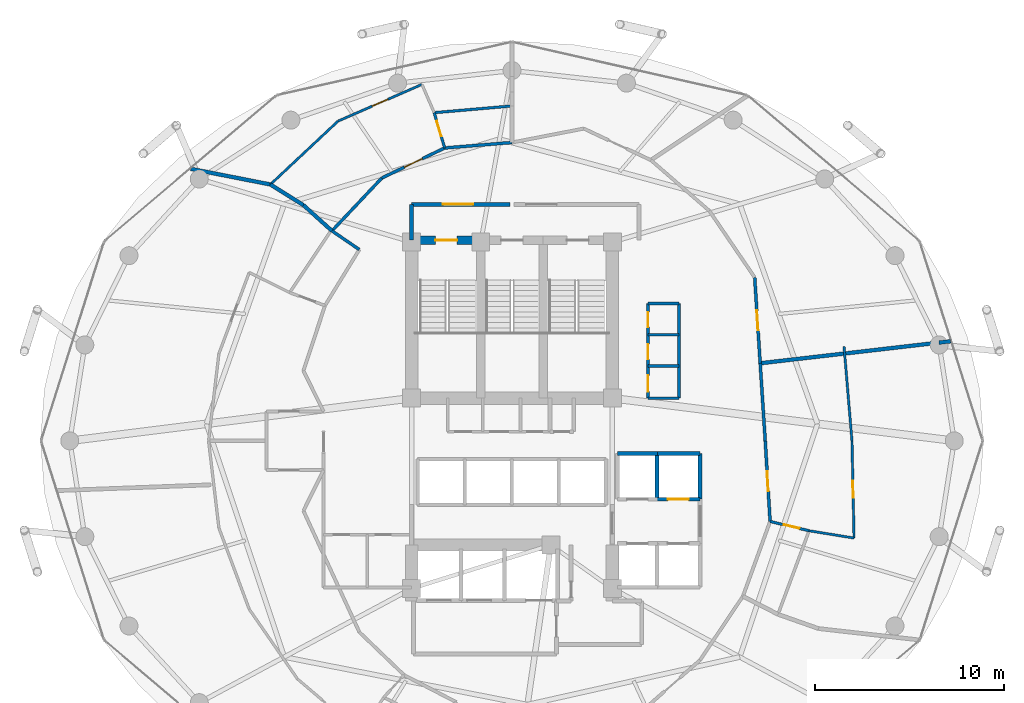
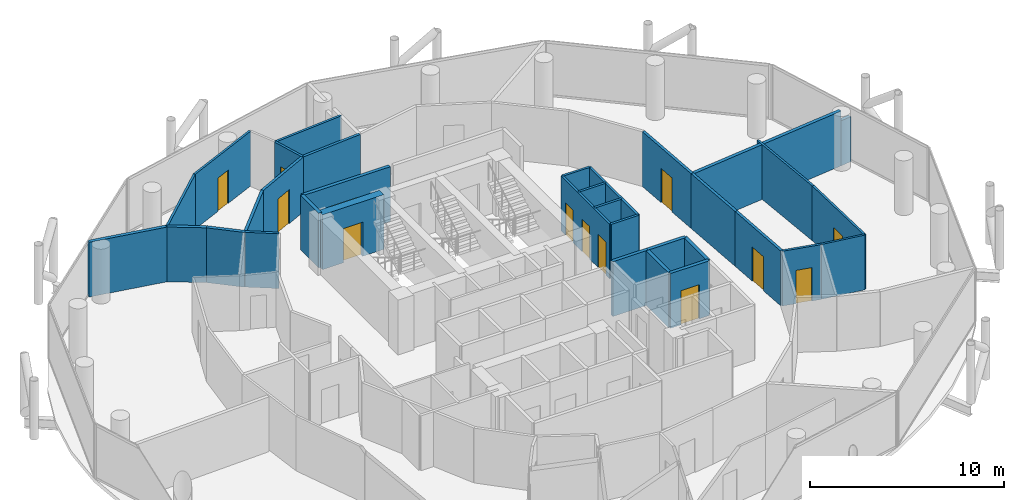
# One storey, part 24 of 26: 34 walls, 13 doors, 13 openings.
"""IFC4 building model written with IfcOpenShell, lengths in metres."""

from ifc_helpers import new_model, si_unit, direction, frame, frame_2d, origin, place, context, subcontext, project, spatial, rectangle, extrude, material, layer, layer_set, type_object, element, fill, save


model = new_model("IFC4")

# Units and contexts
model_context = context("Model", 3, precision=1e-05, world=origin(), true_north=direction((0.0, 1.0)))
body_context = subcontext(model_context, "Body", "Model", "MODEL_VIEW")
ifc_project = project(units=[si_unit("LENGTHUNIT", "METRE"), si_unit("AREAUNIT", "SQUARE_METRE"), si_unit("VOLUMEUNIT", "CUBIC_METRE"), si_unit("PLANEANGLEUNIT", "RADIAN"), si_unit("MASSUNIT", "GRAM", prefix="KILO")], contexts=[model_context])

# Site, building, storey
site_placement = place(None, origin())
site = spatial("IfcSite", under=ifc_project, at=site_placement, CompositionType="ELEMENT")
building_placement = place(site_placement, origin())
building = spatial("IfcBuilding", under=site, at=building_placement, Name="Nuhasar Tower", CompositionType="ELEMENT")
storey_placement = place(building_placement, frame((0.0, 0.0, 133.050048828125)))
storey = spatial("IfcBuildingStorey", under=building, at=storey_placement, Name="L31", CompositionType="ELEMENT", Elevation=133.050048828125)

# Wall, opening, door
ifc_material_1 = material(Name="Concrete C50/60", Category="concrete")
ifc_layer_1 = layer(ifc_material_1, 0.449951171875)
ifc_layer_set_1 = layer_set([ifc_layer_1], Name="Concrete C50/60")
wall_type_1 = type_object("IfcWallType", Name="WL-CORE-450", PredefinedType="SHEAR", material=ifc_layer_set_1)
wall_1_placement = place(storey_placement, frame((37.35009765625, 37.39990234375, 0.0), z_axis=(0.0, 0.0, 1.0), x_axis=(-1.0, 0.0, 0.0)))
wall_1 = element("IfcWall", 1, at=wall_1_placement, inside=storey, type_object=wall_type_1, Name="L31 Stairwell Shear Wall ST01-N", PredefinedType="SHEAR", context=body_context, shape_type="SweptSolid", body=[
    extrude(rectangle(XDim=3.650146484375, YDim=0.449951171875, at=frame_2d((1.8251953125, 0.0))), origin(), (0.0, 0.0, 1.0), 3.449951171875),
])
opening_1_placement = place(wall_1_placement, frame((1.25, 0.0, 0.0)))
opening_1 = element("IfcOpeningElement", 2, at=opening_1_placement, cuts=wall_1, Name="Opening DS-01", PredefinedType="OPENING", context=body_context, shape_type="SweptSolid", body=[
    extrude(rectangle(XDim=1.14990234375, YDim=2.14990234375, at=frame_2d((0.574951171875, 1.074951171875))), frame((0.0, 0.23486328125, 0.0), z_axis=(0.0, -1.0, 0.0), x_axis=(1.0, 0.0, 0.0)), (0.0, 0.0, 1.0), 0.469970703125),
])
ifc_material_2 = material(Name="Steel S355", Category="steel")
door_type_1 = type_object("IfcDoorType", Name="DR-STAIR-FD120-1150", OperationType="NOTDEFINED", PredefinedType="DOOR", material=ifc_material_2)
door_1_placement = place(opening_1_placement, origin())
door_1 = element("IfcDoor", 3, at=door_1_placement, inside=storey, type_object=door_type_1, Name="L31 Exit Stair ST-01 Door", OperationType="SINGLE_SWING_RIGHT", OverallHeight=2.14990234375, OverallWidth=1.14990234375, PredefinedType="DOOR", context=body_context, shape_type="SweptSolid", body=[
    extrude(rectangle(XDim=1.14990234375, YDim=2.14990234375, at=frame_2d((0.574951171875, 1.074951171875))), frame((0.0, 0.02490234375, 0.0), z_axis=(0.0, -1.0, 0.0), x_axis=(1.0, 0.0, 0.0)), (0.0, 0.0, 1.0), 0.050048828125),
])
fill(opening_1, door_1)

ifc_material_3 = material(Name="Gypsum Board", Category="gypsum")
ifc_layer_2 = layer(ifc_material_3, 0.159912109375)
ifc_layer_set_2 = layer_set([ifc_layer_2], Name="Gypsum Board")
wall_type_2 = type_object("IfcWallType", Name="WL-CORR-160", PredefinedType="PARTITIONING", material=ifc_layer_set_2)
wall_2_placement = place(storey_placement, frame((52.3701171875, 26.800048828125, 0.0), z_axis=(0.0, 0.0, 1.0), x_axis=(0.060208216468, -0.998185839746, 0.0)))
wall_2 = element("IfcWall", 4, at=wall_2_placement, inside=storey, type_object=wall_type_2, Name="L31 Interior Partition CORR-46", PredefinedType="PARTITIONING", context=body_context, shape_type="SweptSolid", body=[
    extrude(rectangle(XDim=4.265869140625, YDim=0.159912109375, at=frame_2d((2.1328125, 0.0))), origin(), (0.0, 0.0, 1.0), 3.449951171875),
])
opening_2_placement = place(wall_2_placement, frame((1.60791015625, 0.0, 0.0)))
opening_2 = element("IfcOpeningElement", 5, at=opening_2_placement, cuts=wall_2, Name="Opening DU-01", PredefinedType="OPENING", context=body_context, shape_type="SweptSolid", body=[
    extrude(rectangle(XDim=1.050048828125, YDim=2.14990234375, at=frame_2d((0.52490234375, 1.074951171875))), frame((0.0, 0.08984375, 0.0), z_axis=(0.0, -1.0, 0.0), x_axis=(1.0, 0.0, 0.0)), (0.0, 0.0, 1.0), 0.179931640625),
])
ifc_material_4 = material(Name="Timber Oak", Category="wood")
door_type_2 = type_object("IfcDoorType", Name="DR-SUITE-FD60-1050", OperationType="NOTDEFINED", PredefinedType="DOOR", material=ifc_material_4)
door_2_placement = place(opening_2_placement, origin())
door_2 = element("IfcDoor", 6, at=door_2_placement, inside=storey, type_object=door_type_2, Name="L31 Panorama Suite 02 Entrance Door", OperationType="SINGLE_SWING_RIGHT", OverallHeight=2.14990234375, OverallWidth=1.050048828125, PredefinedType="DOOR", context=body_context, shape_type="SweptSolid", body=[
    extrude(rectangle(XDim=1.050048828125, YDim=2.14990234375, at=frame_2d((0.52490234375, 1.074951171875))), frame((0.0, 0.02490234375, 0.0), z_axis=(0.0, -1.0, 0.0), x_axis=(1.0, 0.0, 0.0)), (0.0, 0.0, 1.0), 0.050048828125),
])
fill(opening_2, door_2)

# Wall
wall_3_placement = place(storey_placement, frame((52.3701171875, 26.800048828125, 0.0), z_axis=(0.0, 0.0, 1.0), x_axis=(-0.065101036033, 0.997878677549, 0.0)))
element("IfcWall", 7, at=wall_3_placement, inside=storey, type_object=wall_type_2, Name="L31 Interior Partition CORR-00", PredefinedType="PARTITIONING", context=body_context, shape_type="SweptSolid", body=[
    extrude(rectangle(XDim=4.102783203125, YDim=0.159912109375, at=frame_2d((2.05126953125, 0.0))), origin(), (0.0, 0.0, 1.0), 3.449951171875),
])

# Wall, opening, door
wall_4_placement = place(storey_placement, frame((51.81396484375, 35.427001953125, 0.0), z_axis=(0.0, 0.0, 1.0), x_axis=(0.063639788552, -0.997972934159, 0.0)))
wall_4 = element("IfcWall", 8, at=wall_4_placement, inside=storey, type_object=wall_type_2, Name="L31 Interior Partition CORR-02", PredefinedType="PARTITIONING", context=body_context, shape_type="SweptSolid", body=[
    extrude(rectangle(XDim=4.542236328125, YDim=0.159912109375, at=frame_2d((2.27099609375, 0.0))), origin(), (0.0, 0.0, 1.0), 3.449951171875),
])
opening_3_placement = place(wall_4_placement, frame((1.74609375, 0.0, 0.0)))
opening_3 = element("IfcOpeningElement", 9, at=opening_3_placement, cuts=wall_4, Name="Opening DU-01", PredefinedType="OPENING", context=body_context, shape_type="SweptSolid", body=[
    extrude(rectangle(XDim=1.050048828125, YDim=2.14990234375, at=frame_2d((0.52490234375, 1.074951171875))), frame((0.0, 0.08984375, 0.0), z_axis=(0.0, -1.0, 0.0), x_axis=(1.0, 0.0, 0.0)), (0.0, 0.0, 1.0), 0.179931640625),
])
door_3_placement = place(opening_3_placement, origin())
door_3 = element("IfcDoor", 10, at=door_3_placement, inside=storey, type_object=door_type_2, Name="L31 Sommelier Tea Lounge Entrance Door", OperationType="SINGLE_SWING_RIGHT", OverallHeight=2.14990234375, OverallWidth=1.050048828125, PredefinedType="DOOR", context=body_context, shape_type="SweptSolid", body=[
    extrude(rectangle(XDim=1.050048828125, YDim=2.14990234375, at=frame_2d((0.52490234375, 1.074951171875))), frame((0.0, 0.02490234375, 0.0), z_axis=(0.0, -1.0, 0.0), x_axis=(1.0, 0.0, 0.0)), (0.0, 0.0, 1.0), 0.050048828125),
])
fill(opening_3, door_3)

# Wall
wall_5_placement = place(storey_placement, frame((39.0, 42.550048828125, 0.0), z_axis=(0.0, 0.0, 1.0), x_axis=(-0.996706794078, -0.081089867669, 0.0)))
element("IfcWall", 11, at=wall_5_placement, inside=storey, type_object=wall_type_2, Name="L31 Interior Partition CORR-12", PredefinedType="PARTITIONING", context=body_context, shape_type="SweptSolid", body=[
    extrude(rectangle(XDim=3.564697265625, YDim=0.159912109375, at=frame_2d((1.7822265625, 0.0))), origin(), (0.0, 0.0, 1.0), 3.449951171875),
])

# Wall, opening, door
wall_6_placement = place(storey_placement, frame((32.12890625, 40.677001953125, 0.0), z_axis=(0.0, 0.0, 1.0), x_axis=(0.902445250627, 0.430804560817, 0.0)))
wall_6 = element("IfcWall", 12, at=wall_6_placement, inside=storey, type_object=wall_type_2, Name="L31 Interior Partition CORR-14", PredefinedType="PARTITIONING", context=body_context, shape_type="SweptSolid", body=[
    extrude(rectangle(XDim=3.6767578125, YDim=0.159912109375, at=frame_2d((1.83837890625, 0.0))), origin(), (0.0, 0.0, 1.0), 3.449951171875),
])
opening_4_placement = place(wall_6_placement, frame((1.31298828125, 0.0, 0.0)))
opening_4 = element("IfcOpeningElement", 13, at=opening_4_placement, cuts=wall_6, Name="Opening DU-01", PredefinedType="OPENING", context=body_context, shape_type="SweptSolid", body=[
    extrude(rectangle(XDim=1.050048828125, YDim=2.14990234375, at=frame_2d((0.52490234375, 1.074951171875))), frame((0.0, 0.08984375, 0.0), z_axis=(0.0, -1.0, 0.0), x_axis=(1.0, 0.0, 0.0)), (0.0, 0.0, 1.0), 0.179931640625),
])
door_4_placement = place(opening_4_placement, origin())
door_4 = element("IfcDoor", 14, at=door_4_placement, inside=storey, type_object=door_type_2, Name="L31 Corniche Suite 03 Entrance Door", OperationType="SINGLE_SWING_RIGHT", OverallHeight=2.14990234375, OverallWidth=1.050048828125, PredefinedType="DOOR", context=body_context, shape_type="SweptSolid", body=[
    extrude(rectangle(XDim=1.050048828125, YDim=2.14990234375, at=frame_2d((0.52490234375, 1.074951171875))), frame((0.0, 0.02490234375, 0.0), z_axis=(0.0, -1.0, 0.0), x_axis=(1.0, 0.0, 0.0)), (0.0, 0.0, 1.0), 0.050048828125),
])
fill(opening_4, door_4)

# Walls
wall_7_placement = place(storey_placement, frame((32.12890625, 40.677001953125, 0.0), z_axis=(0.0, 0.0, 1.0), x_axis=(-0.68619756668, -0.727415218072, 0.0)))
element("IfcWall", 15, at=wall_7_placement, inside=storey, type_object=wall_type_2, Name="L31 Interior Partition CORR-16", PredefinedType="PARTITIONING", context=body_context, shape_type="SweptSolid", body=[
    extrude(rectangle(XDim=3.838134765625, YDim=0.159912109375, at=frame_2d((1.9189453125, 0.0))), origin(), (0.0, 0.0, 1.0), 3.449951171875),
])
wall_8_placement = place(storey_placement, frame((30.93896484375, 36.89697265625, 0.0), z_axis=(0.0, 0.0, 1.0), x_axis=(-0.825269608573, 0.564738942491, 0.0)))
element("IfcWall", 16, at=wall_8_placement, inside=storey, type_object=wall_type_2, Name="L31 Interior Partition HRAD-18-IN", PredefinedType="PARTITIONING", context=body_context, shape_type="SweptSolid", body=[
    extrude(rectangle(XDim=1.74951171875, YDim=0.159912109375, at=frame_2d((0.874755859375, 0.0))), origin(), (0.0, 0.0, 1.0), 3.449951171875),
])
ifc_material_5 = material(Name="Concrete C45/55", Category="concrete")
ifc_layer_3 = layer(ifc_material_5, 0.199951171875)
ifc_layer_set_3 = layer_set([ifc_layer_3], Name="Concrete C45/55")
wall_type_3 = type_object("IfcWallType", Name="WL-LOBBY-200", PredefinedType="SOLIDWALL", material=ifc_layer_set_3)
wall_9_placement = place(storey_placement, frame((33.699951171875, 37.39990234375, 0.0), z_axis=(0.0, 0.0, 1.0), x_axis=(0.0, 1.0, 0.0)))
element("IfcWall", 17, at=wall_9_placement, inside=storey, type_object=wall_type_3, Name="L31 Interior Partition NSL-W", PredefinedType="SOLIDWALL", context=body_context, shape_type="SweptSolid", body=[
    extrude(rectangle(XDim=1.880126953125, YDim=0.199951171875, at=frame_2d((0.93994140625, 0.0))), origin(), (0.0, 0.0, 1.0), 3.449951171875),
])

# Wall, opening, door
wall_10_placement = place(storey_placement, frame((38.89990234375, 39.280029296875, 0.0), z_axis=(0.0, 0.0, 1.0), x_axis=(-1.0, 0.0, 0.0)))
wall_10 = element("IfcWall", 18, at=wall_10_placement, inside=storey, type_object=wall_type_3, Name="L31 Interior Partition NSL-N1", PredefinedType="SOLIDWALL", context=body_context, shape_type="SweptSolid", body=[
    extrude(rectangle(XDim=5.199951171875, YDim=0.199951171875, at=frame_2d((2.60009765625, 0.0))), origin(), (0.0, 0.0, 1.0), 3.449951171875),
])
opening_5_placement = place(wall_10_placement, frame((1.949951171875, 0.0, 0.0)))
opening_5 = element("IfcOpeningElement", 19, at=opening_5_placement, cuts=wall_10, Name="Opening DC-01", PredefinedType="OPENING", context=body_context, shape_type="SweptSolid", body=[
    extrude(rectangle(XDim=1.60009765625, YDim=2.199951171875, at=frame_2d((0.800048828125, 1.10009765625))), frame((0.0, 0.10986328125, 0.0), z_axis=(0.0, -1.0, 0.0), x_axis=(1.0, 0.0, 0.0)), (0.0, 0.0, 1.0), 0.219970703125),
])
door_type_3 = type_object("IfcDoorType", Name="DR-CORR-FD60-1600", OperationType="DOUBLE_DOOR_SINGLE_SWING", PredefinedType="DOOR", material=ifc_material_2)
door_5_placement = place(opening_5_placement, origin())
door_5 = element("IfcDoor", 20, at=door_5_placement, inside=storey, type_object=door_type_3, Name="L31 North Stair Lobby West Door", OperationType="DOUBLE_DOOR_SINGLE_SWING", OverallHeight=2.199951171875, OverallWidth=1.60009765625, PredefinedType="DOOR", context=body_context, shape_type="SweptSolid", body=[
    extrude(rectangle(XDim=1.60009765625, YDim=2.199951171875, at=frame_2d((0.800048828125, 1.10009765625))), frame((0.0, 0.02490234375, 0.0), z_axis=(0.0, -1.0, 0.0), x_axis=(1.0, 0.0, 0.0)), (0.0, 0.0, 1.0), 0.050048828125),
])
fill(opening_5, door_5)

# Wall
ifc_layer_4 = layer(ifc_material_3, 0.125)
ifc_layer_set_4 = layer_set([ifc_layer_4], Name="Gypsum Board")
wall_type_4 = type_object("IfcWallType", Name="WL-PART-125", PredefinedType="PARTITIONING", material=ifc_layer_set_4)
wall_11_placement = place(storey_placement, frame((54.68701171875, 22.051025390625, 0.0), z_axis=(0.0, 0.0, 1.0), x_axis=(0.987082473446, -0.160212953955, 0.0)))
element("IfcWall", 21, at=wall_11_placement, inside=storey, type_object=wall_type_4, Name="L31 Interior Partition HBS-03", PredefinedType="PARTITIONING", context=body_context, shape_type="SweptSolid", body=[
    extrude(rectangle(XDim=2.403076171875, YDim=0.125, at=frame_2d((1.20166015625, 0.0))), origin(), (0.0, 0.0, 1.0), 3.449951171875),
])

# Wall, opening, door
wall_12_placement = place(storey_placement, frame((56.949951171875, 26.800048828125, 0.0), z_axis=(0.0, 0.0, 1.0), x_axis=(0.02125155973, -0.999774160103, 0.0)))
wall_12 = element("IfcWall", 22, at=wall_12_placement, inside=storey, type_object=wall_type_4, Name="L31 Interior Partition HSAL-03-46", PredefinedType="PARTITIONING", context=body_context, shape_type="SweptSolid", body=[
    extrude(rectangle(XDim=5.13525390625, YDim=0.125, at=frame_2d((2.567626953125, 0.0))), origin(), (0.0, 0.0, 1.0), 3.449951171875),
])
opening_6_placement = place(wall_12_placement, frame((2.117919921875, 0.0, 0.0)))
opening_6 = element("IfcOpeningElement", 23, at=opening_6_placement, cuts=wall_12, Name="Opening DR-01", PredefinedType="OPENING", context=body_context, shape_type="SweptSolid", body=[
    extrude(rectangle(XDim=0.89990234375, YDim=2.10009765625, at=frame_2d((0.449951171875, 1.050048828125))), frame((0.0, 0.072509765625, 0.0), z_axis=(0.0, -1.0, 0.0), x_axis=(1.0, 0.0, 0.0)), (0.0, 0.0, 1.0), 0.14501953125),
])
door_type_4 = type_object("IfcDoorType", Name="DR-ROOM-900", OperationType="NOTDEFINED", PredefinedType="DOOR", material=ifc_material_4)
door_6_placement = place(opening_6_placement, origin())
door_6 = element("IfcDoor", 24, at=door_6_placement, inside=storey, type_object=door_type_4, Name="L31 Panorama Suite 02 Bedroom Door", OperationType="SINGLE_SWING_RIGHT", OverallHeight=2.10009765625, OverallWidth=0.89990234375, PredefinedType="DOOR", context=body_context, shape_type="SweptSolid", body=[
    extrude(rectangle(XDim=0.89990234375, YDim=2.10009765625, at=frame_2d((0.449951171875, 1.050048828125))), frame((0.0, 0.02490234375, 0.0), z_axis=(0.0, -1.0, 0.0), x_axis=(1.0, 0.0, 0.0)), (0.0, 0.0, 1.0), 0.050048828125),
])
fill(opening_6, door_6)

# Wall
wall_13_placement = place(storey_placement, frame((56.949951171875, 26.800048828125, 0.0), z_axis=(0.0, 0.0, 1.0), x_axis=(-0.083958417044, 0.996469259038, 0.0)))
element("IfcWall", 25, at=wall_13_placement, inside=storey, type_object=wall_type_4, Name="L31 Interior Partition HSAL-03-00", PredefinedType="PARTITIONING", context=body_context, shape_type="SweptSolid", body=[
    extrude(rectangle(XDim=5.00146484375, YDim=0.125, at=frame_2d((2.500732421875, 0.0))), origin(), (0.0, 0.0, 1.0), 3.449951171875),
])

# Wall, opening, door
wall_14_placement = place(storey_placement, frame((29.81494140625, 43.678955078125, 0.0), z_axis=(0.0, 0.0, 1.0), x_axis=(0.916122593443, 0.400898233699, 0.0)))
wall_14 = element("IfcWall", 26, at=wall_14_placement, inside=storey, type_object=wall_type_4, Name="L31 Interior Partition HSAL-06-14", PredefinedType="PARTITIONING", context=body_context, shape_type="SweptSolid", body=[
    extrude(rectangle(XDim=4.8388671875, YDim=0.125, at=frame_2d((2.41943359375, 0.0))), origin(), (0.0, 0.0, 1.0), 3.449951171875),
])
opening_7_placement = place(wall_14_placement, frame((1.968994140625, 0.0, 0.0)))
opening_7 = element("IfcOpeningElement", 27, at=opening_7_placement, cuts=wall_14, Name="Opening DR-01", PredefinedType="OPENING", context=body_context, shape_type="SweptSolid", body=[
    extrude(rectangle(XDim=0.89990234375, YDim=2.10009765625, at=frame_2d((0.449951171875, 1.050048828125))), frame((0.0, 0.072509765625, 0.0), z_axis=(0.0, -1.0, 0.0), x_axis=(1.0, 0.0, 0.0)), (0.0, 0.0, 1.0), 0.14501953125),
])
door_7_placement = place(opening_7_placement, origin())
door_7 = element("IfcDoor", 28, at=door_7_placement, inside=storey, type_object=door_type_4, Name="L31 Corniche Suite 03 Bedroom Door", OperationType="SINGLE_SWING_RIGHT", OverallHeight=2.10009765625, OverallWidth=0.89990234375, PredefinedType="DOOR", context=body_context, shape_type="SweptSolid", body=[
    extrude(rectangle(XDim=0.89990234375, YDim=2.10009765625, at=frame_2d((0.449951171875, 1.050048828125))), frame((0.0, 0.02490234375, 0.0), z_axis=(0.0, -1.0, 0.0), x_axis=(1.0, 0.0, 0.0)), (0.0, 0.0, 1.0), 0.050048828125),
])
fill(opening_7, door_7)

# Walls
wall_15_placement = place(storey_placement, frame((29.81494140625, 43.678955078125, 0.0), z_axis=(0.0, 0.0, 1.0), x_axis=(-0.729831223249, -0.683627373333, 0.0)))
element("IfcWall", 29, at=wall_15_placement, inside=storey, type_object=wall_type_4, Name="L31 Interior Partition HSAL-06-16", PredefinedType="PARTITIONING", context=body_context, shape_type="SweptSolid", body=[
    extrude(rectangle(XDim=4.89306640625, YDim=0.125, at=frame_2d((2.446533203125, 0.0))), origin(), (0.0, 0.0, 1.0), 3.449951171875),
])
ifc_layer_5 = layer(ifc_material_5, 0.199951171875)
ifc_layer_set_5 = layer_set([ifc_layer_5], Name="Concrete C45/55")
wall_type_5 = type_object("IfcWallType", Name="WL-SHAFT-200", PredefinedType="SOLIDWALL", material=ifc_layer_set_5)
wall_16_placement = place(storey_placement, frame((44.570068359375, 26.1298828125, 0.0), z_axis=(0.0, 0.0, 1.0), x_axis=(1.0, 0.0, 0.0)))
element("IfcWall", 30, at=wall_16_placement, inside=storey, type_object=wall_type_5, Name="L31 Interior Partition SHF-PL-M01-N", PredefinedType="SOLIDWALL", context=body_context, shape_type="SweptSolid", body=[
    extrude(rectangle(XDim=2.10986328125, YDim=0.199951171875, at=frame_2d((1.054931640625, 0.0))), origin(), (0.0, 0.0, 1.0), 3.449951171875),
])
wall_17_placement = place(storey_placement, frame((46.64990234375, 23.719970703125, 0.0), z_axis=(0.0, 0.0, 1.0), x_axis=(0.0, 1.0, 0.0)))
element("IfcWall", 31, at=wall_17_placement, inside=storey, type_object=wall_type_5, Name="L31 Interior Partition SHF-PL-M01-E", PredefinedType="SOLIDWALL", context=body_context, shape_type="SweptSolid", body=[
    extrude(rectangle(XDim=2.409912109375, YDim=0.199951171875, at=frame_2d((1.205078125, 0.0))), origin(), (0.0, 0.0, 1.0), 3.449951171875),
])

# Wall, opening, door
wall_18_placement = place(storey_placement, frame((46.6201171875, 23.719970703125, 0.0), z_axis=(0.0, 0.0, 1.0), x_axis=(1.0, 0.0, 0.0)))
wall_18 = element("IfcWall", 32, at=wall_18_placement, inside=storey, type_object=wall_type_5, Name="L31 Interior Partition SHF-PL-M02-S", PredefinedType="SOLIDWALL", context=body_context, shape_type="SweptSolid", body=[
    extrude(rectangle(XDim=2.309814453125, YDim=0.199951171875, at=frame_2d((1.15478515625, 0.0))), origin(), (0.0, 0.0, 1.0), 3.449951171875),
])
opening_8_placement = place(wall_18_placement, frame((0.60498046875, 0.0, 0.0)))
opening_8 = element("IfcOpeningElement", 33, at=opening_8_placement, cuts=wall_18, Name="Opening LD-M02", PredefinedType="OPENING", context=body_context, shape_type="SweptSolid", body=[
    extrude(rectangle(XDim=1.10009765625, YDim=2.14990234375, at=frame_2d((0.550048828125, 1.074951171875))), frame((0.0, 0.10986328125, 0.0), z_axis=(0.0, -1.0, 0.0), x_axis=(1.0, 0.0, 0.0)), (0.0, 0.0, 1.0), 0.219970703125),
])
ifc_material_6 = material(Name="Stainless Steel 316L", Category="steel")
door_type_5 = type_object("IfcDoorType", Name="LD-PAX-1100", OperationType="DOUBLE_DOOR_SLIDING", PredefinedType="DOOR", material=ifc_material_6)
door_8_placement = place(opening_8_placement, origin())
door_8 = element("IfcDoor", 34, at=door_8_placement, inside=storey, type_object=door_type_5, Name="L31 Lift Landing Door PL-M02", OperationType="DOUBLE_DOOR_SLIDING", OverallHeight=2.14990234375, OverallWidth=1.10009765625, PredefinedType="DOOR", context=body_context, shape_type="SweptSolid", body=[
    extrude(rectangle(XDim=1.10009765625, YDim=2.14990234375, at=frame_2d((0.550048828125, 1.074951171875))), frame((0.0, 0.02490234375, 0.0), z_axis=(0.0, -1.0, 0.0), x_axis=(1.0, 0.0, 0.0)), (0.0, 0.0, 1.0), 0.050048828125),
])
fill(opening_8, door_8)

# Walls
wall_19_placement = place(storey_placement, frame((46.6201171875, 26.1298828125, 0.0), z_axis=(0.0, 0.0, 1.0), x_axis=(1.0, 0.0, 0.0)))
element("IfcWall", 35, at=wall_19_placement, inside=storey, type_object=wall_type_5, Name="L31 Interior Partition SHF-PL-M02-N", PredefinedType="SOLIDWALL", context=body_context, shape_type="SweptSolid", body=[
    extrude(rectangle(XDim=2.309814453125, YDim=0.199951171875, at=frame_2d((1.15478515625, 0.0))), origin(), (0.0, 0.0, 1.0), 3.449951171875),
])
wall_20_placement = place(storey_placement, frame((48.929931640625, 23.719970703125, 0.0), z_axis=(0.0, 0.0, 1.0), x_axis=(0.0, 1.0, 0.0)))
element("IfcWall", 36, at=wall_20_placement, inside=storey, type_object=wall_type_5, Name="L31 Interior Partition SHF-PL-M02-E", PredefinedType="SOLIDWALL", context=body_context, shape_type="SweptSolid", body=[
    extrude(rectangle(XDim=2.409912109375, YDim=0.199951171875, at=frame_2d((1.205078125, 0.0))), origin(), (0.0, 0.0, 1.0), 3.449951171875),
])
ifc_material_7 = material(Name="Concrete C40/50 precast", Category="concrete")
ifc_layer_6 = layer(ifc_material_7, 0.199951171875)
ifc_layer_set_6 = layer_set([ifc_layer_6], Name="Concrete C40/50 precast")
wall_type_6 = type_object("IfcWallType", Name="WL-UNIT-200", PredefinedType="PARTITIONING", material=ifc_layer_set_6)
wall_21_placement = place(storey_placement, frame((29.4951171875, 37.885009765625, 0.0), z_axis=(0.0, 0.0, 1.0), x_axis=(-0.743025279388, 0.669263351895, 0.0)))
element("IfcWall", 37, at=wall_21_placement, inside=storey, type_object=wall_type_6, Name="L31 Interior Partition HRAD-18-OUT-S1", PredefinedType="PARTITIONING", context=body_context, shape_type="SweptSolid", body=[
    extrude(rectangle(XDim=2.0322265625, YDim=0.199951171875, at=frame_2d((1.01611328125, 0.0))), origin(), (0.0, 0.0, 1.0), 3.449951171875),
])
wall_22_placement = place(storey_placement, frame((27.985107421875, 39.2451171875, 0.0), z_axis=(0.0, 0.0, 1.0), x_axis=(-0.847864702064, 0.530212643186, 0.0)))
element("IfcWall", 38, at=wall_22_placement, inside=storey, type_object=wall_type_6, Name="L31 Interior Partition HRAD-18-OUT-S2", PredefinedType="PARTITIONING", context=body_context, shape_type="SweptSolid", body=[
    extrude(rectangle(XDim=2.0537109375, YDim=0.199951171875, at=frame_2d((1.02685546875, 0.0))), origin(), (0.0, 0.0, 1.0), 3.449951171875),
])
wall_23_placement = place(storey_placement, frame((26.243896484375, 40.333984375, 0.0), z_axis=(0.0, 0.0, 1.0), x_axis=(-0.981207381692, 0.192956145571, 0.0)))
element("IfcWall", 39, at=wall_23_placement, inside=storey, type_object=wall_type_6, Name="L31 Interior Partition HRAD-18-OUT-S3", PredefinedType="PARTITIONING", context=body_context, shape_type="SweptSolid", body=[
    extrude(rectangle(XDim=4.2802734375, YDim=0.199951171875, at=frame_2d((2.14013671875, 0.0))), origin(), (0.0, 0.0, 1.0), 3.449951171875),
])
wall_24_placement = place(storey_placement, frame((52.10302734375, 30.89404296875, 0.0), z_axis=(0.0, 0.0, 1.0), x_axis=(0.993389572668, 0.114791798114, 0.0)))
element("IfcWall", 40, at=wall_24_placement, inside=storey, type_object=wall_type_6, Name="L31 Interior Partition HRAD-02", PredefinedType="PARTITIONING", context=body_context, shape_type="SweptSolid", body=[
    extrude(rectangle(XDim=9.504638671875, YDim=0.199951171875, at=frame_2d((4.75244140625, 0.0))), origin(), (0.0, 0.0, 1.0), 3.449951171875),
])
wall_25_placement = place(storey_placement, frame((61.544921875, 31.985107421875, 0.0), z_axis=(0.0, 0.0, 1.0), x_axis=(0.993484448957, 0.113967757198, 0.0)))
element("IfcWall", 41, at=wall_25_placement, inside=storey, type_object=wall_type_6, Name="L31 Interior Partition HRAD-02", PredefinedType="PARTITIONING", context=body_context, shape_type="SweptSolid", body=[
    extrude(rectangle(XDim=0.621337890625, YDim=0.199951171875, at=frame_2d((0.310546875, 0.0))), origin(), (0.0, 0.0, 1.0), 2.8349609375),
])

# Wall, openings, doors
ifc_layer_7 = layer(ifc_material_7, 0.139892578125)
ifc_layer_set_7 = layer_set([ifc_layer_7], Name="Concrete C40/50 precast")
wall_type_7 = type_object("IfcWallType", Name="WL-WET-140", PredefinedType="PARTITIONING", material=ifc_layer_set_7)
wall_26_placement = place(storey_placement, frame((46.179931640625, 34.050048828125, 0.0), z_axis=(0.0, 0.0, 1.0), x_axis=(0.0, -1.0, 0.0)))
wall_26 = element("IfcWall", 42, at=wall_26_placement, inside=storey, type_object=wall_type_7, Name="L31 Interior Partition K1-NE-W", PredefinedType="PARTITIONING", context=body_context, shape_type="SweptSolid", body=[
    extrude(rectangle(XDim=5.0, YDim=0.139892578125, at=frame_2d((2.5, 0.0))), origin(), (0.0, 0.0, 1.0), 3.449951171875),
])
opening_9_placement = place(wall_26_placement, frame((3.800048828125, 0.0, 0.0)))
opening_9 = element("IfcOpeningElement", 43, at=opening_9_placement, cuts=wall_26, Name="Opening DB-01", PredefinedType="OPENING", context=body_context, shape_type="SweptSolid", body=[
    extrude(rectangle(XDim=0.85009765625, YDim=2.10009765625, at=frame_2d((0.425048828125, 1.050048828125))), frame((0.0, 0.080078125, 0.0), z_axis=(0.0, -1.0, 0.0), x_axis=(1.0, 0.0, 0.0)), (0.0, 0.0, 1.0), 0.159912109375),
])
opening_10_placement = place(wall_26_placement, frame((2.14990234375, 0.0, 0.0)))
opening_10 = element("IfcOpeningElement", 44, at=opening_10_placement, cuts=wall_26, Name="Opening DM-01", PredefinedType="OPENING", context=body_context, shape_type="SweptSolid", body=[
    extrude(rectangle(XDim=0.800048828125, YDim=2.050048828125, at=frame_2d((0.39990234375, 1.02490234375))), frame((0.0, 0.080078125, 0.0), z_axis=(0.0, -1.0, 0.0), x_axis=(1.0, 0.0, 0.0)), (0.0, 0.0, 1.0), 0.159912109375),
])
opening_11_placement = place(wall_26_placement, frame((0.449951171875, 0.0, 0.0)))
opening_11 = element("IfcOpeningElement", 45, at=opening_11_placement, cuts=wall_26, Name="Opening DM-01", PredefinedType="OPENING", context=body_context, shape_type="SweptSolid", body=[
    extrude(rectangle(XDim=0.800048828125, YDim=2.050048828125, at=frame_2d((0.39990234375, 1.02490234375))), frame((0.0, 0.080078125, 0.0), z_axis=(0.0, -1.0, 0.0), x_axis=(1.0, 0.0, 0.0)), (0.0, 0.0, 1.0), 0.159912109375),
])
door_type_6 = type_object("IfcDoorType", Name="DR-BATH-850", OperationType="NOTDEFINED", PredefinedType="DOOR", material=ifc_material_4)
door_9_placement = place(opening_9_placement, origin())
door_9 = element("IfcDoor", 46, at=door_9_placement, inside=storey, type_object=door_type_6, Name="L31 NE Female WC Door", OperationType="SINGLE_SWING_RIGHT", OverallHeight=2.10009765625, OverallWidth=0.85009765625, PredefinedType="DOOR", context=body_context, shape_type="SweptSolid", body=[
    extrude(rectangle(XDim=0.85009765625, YDim=2.10009765625, at=frame_2d((0.425048828125, 1.050048828125))), frame((0.0, 0.02490234375, 0.0), z_axis=(0.0, -1.0, 0.0), x_axis=(1.0, 0.0, 0.0)), (0.0, 0.0, 1.0), 0.050048828125),
])
fill(opening_9, door_9)
door_type_7 = type_object("IfcDoorType", Name="DR-RISER-FD60-800", OperationType="NOTDEFINED", PredefinedType="DOOR", material=ifc_material_2)
door_10_placement = place(opening_10_placement, origin())
door_10 = element("IfcDoor", 47, at=door_10_placement, inside=storey, type_object=door_type_7, Name="L31 NE Meter Door", OperationType="SINGLE_SWING_RIGHT", OverallHeight=2.050048828125, OverallWidth=0.800048828125, PredefinedType="DOOR", context=body_context, shape_type="SweptSolid", body=[
    extrude(rectangle(XDim=0.800048828125, YDim=2.050048828125, at=frame_2d((0.39990234375, 1.02490234375))), frame((0.0, 0.02490234375, 0.0), z_axis=(0.0, -1.0, 0.0), x_axis=(1.0, 0.0, 0.0)), (0.0, 0.0, 1.0), 0.050048828125),
])
fill(opening_10, door_10)
door_11_placement = place(opening_11_placement, origin())
door_11 = element("IfcDoor", 48, at=door_11_placement, inside=storey, type_object=door_type_7, Name="L31 NE Telecom Door", OperationType="SINGLE_SWING_LEFT", OverallHeight=2.050048828125, OverallWidth=0.800048828125, PredefinedType="DOOR", context=body_context, shape_type="SweptSolid", body=[
    extrude(rectangle(XDim=0.800048828125, YDim=2.050048828125, at=frame_2d((0.39990234375, 1.02490234375))), frame((0.0, 0.02490234375, 0.0), z_axis=(0.0, -1.0, 0.0), x_axis=(1.0, 0.0, 0.0)), (0.0, 0.0, 1.0), 0.050048828125),
])
fill(opening_11, door_11)

# Walls
for number, where, z_axis, x_axis, name in (
    (49, (46.179931640625, 29.050048828125, 0.0), (0.0, 0.0, 1.0), (1.0, 0.0, 0.0), "L31 Interior Partition K1-NE-S"),
    (50, (46.179931640625, 30.75, 0.0), (0.0, 0.0, 1.0), (1.0, 0.0, 0.0), "L31 Interior Partition K1-NE-M1"),
    (51, (46.179931640625, 32.39990234375, 0.0), (0.0, 0.0, 1.0), (1.0, 0.0, 0.0), "L31 Interior Partition K1-NE-M2"),
    (52, (46.179931640625, 34.050048828125, 0.0), (0.0, 0.0, 1.0), (1.0, 0.0, 0.0), "L31 Interior Partition K1-NE-N"),
):
    element("IfcWall", number, at=place(storey_placement, frame(where, z_axis=z_axis, x_axis=x_axis)), inside=storey, type_object=wall_type_7, Name=name, PredefinedType="PARTITIONING", context=body_context, shape_type="SweptSolid", body=[
        extrude(rectangle(XDim=1.64013671875, YDim=0.139892578125, at=frame_2d((0.820068359375, 0.0))), origin(), (0.0, 0.0, 1.0), 3.449951171875),
    ])
wall_27_placement = place(storey_placement, frame((47.820068359375, 29.050048828125, 0.0), z_axis=(0.0, 0.0, 1.0), x_axis=(0.0, 1.0, 0.0)))
element("IfcWall", 53, at=wall_27_placement, inside=storey, type_object=wall_type_7, Name="L31 Interior Partition K1-NE-E", PredefinedType="PARTITIONING", context=body_context, shape_type="SweptSolid", body=[
    extrude(rectangle(XDim=5.0, YDim=0.139892578125, at=frame_2d((2.5, 0.0))), origin(), (0.0, 0.0, 1.0), 3.449951171875),
])

# Wall, opening, door
wall_28_placement = place(storey_placement, frame((52.626953125, 22.5419921875, 0.0), z_axis=(0.0, 0.0, 1.0), x_axis=(0.972755476871, -0.231833522634, 0.0)))
wall_28 = element("IfcWall", 54, at=wall_28_placement, inside=storey, type_object=wall_type_7, Name="L31 Interior Partition HBW-03", PredefinedType="PARTITIONING", context=body_context, shape_type="SweptSolid", body=[
    extrude(rectangle(XDim=2.11767578125, YDim=0.139892578125, at=frame_2d((1.058837890625, 0.0))), origin(), (0.0, 0.0, 1.0), 3.449951171875),
])
opening_12_placement = place(wall_28_placement, frame((0.739990234375, 0.0, 0.0)))
opening_12 = element("IfcOpeningElement", 55, at=opening_12_placement, cuts=wall_28, Name="Opening DB-01", PredefinedType="OPENING", context=body_context, shape_type="SweptSolid", body=[
    extrude(rectangle(XDim=0.85009765625, YDim=2.10009765625, at=frame_2d((0.425048828125, 1.050048828125))), frame((0.0, 0.080078125, 0.0), z_axis=(0.0, -1.0, 0.0), x_axis=(1.0, 0.0, 0.0)), (0.0, 0.0, 1.0), 0.159912109375),
])
door_12_placement = place(opening_12_placement, origin())
door_12 = element("IfcDoor", 56, at=door_12_placement, inside=storey, type_object=door_type_6, Name="L31 Panorama Suite 02 En-Suite Door", OperationType="SINGLE_SWING_RIGHT", OverallHeight=2.10009765625, OverallWidth=0.85009765625, PredefinedType="DOOR", context=body_context, shape_type="SweptSolid", body=[
    extrude(rectangle(XDim=0.85009765625, YDim=2.10009765625, at=frame_2d((0.425048828125, 1.050048828125))), frame((0.0, 0.02490234375, 0.0), z_axis=(0.0, -1.0, 0.0), x_axis=(1.0, 0.0, 0.0)), (0.0, 0.0, 1.0), 0.050048828125),
])
fill(opening_12, door_12)

wall_29_placement = place(storey_placement, frame((35.447021484375, 42.260986328125, 0.0), z_axis=(0.0, 0.0, 1.0), x_axis=(-0.285930550579, 0.958250343201, 0.0)))
wall_29 = element("IfcWall", 57, at=wall_29_placement, inside=storey, type_object=wall_type_7, Name="L31 Interior Partition HBW-06", PredefinedType="PARTITIONING", context=body_context, shape_type="SweptSolid", body=[
    extrude(rectangle(XDim=1.944091796875, YDim=0.139892578125, at=frame_2d((0.97216796875, 0.0))), origin(), (0.0, 0.0, 1.0), 3.449951171875),
])
opening_13_placement = place(wall_29_placement, frame((0.64404296875, 0.0, 0.0)))
opening_13 = element("IfcOpeningElement", 58, at=opening_13_placement, cuts=wall_29, Name="Opening DB-01", PredefinedType="OPENING", context=body_context, shape_type="SweptSolid", body=[
    extrude(rectangle(XDim=0.85009765625, YDim=2.10009765625, at=frame_2d((0.425048828125, 1.050048828125))), frame((0.0, 0.080078125, 0.0), z_axis=(0.0, -1.0, 0.0), x_axis=(1.0, 0.0, 0.0)), (0.0, 0.0, 1.0), 0.159912109375),
])
door_13_placement = place(opening_13_placement, origin())
door_13 = element("IfcDoor", 59, at=door_13_placement, inside=storey, type_object=door_type_6, Name="L31 Corniche Suite 03 En-Suite Door", OperationType="SINGLE_SWING_RIGHT", OverallHeight=2.10009765625, OverallWidth=0.85009765625, PredefinedType="DOOR", context=body_context, shape_type="SweptSolid", body=[
    extrude(rectangle(XDim=0.85009765625, YDim=2.10009765625, at=frame_2d((0.425048828125, 1.050048828125))), frame((0.0, 0.02490234375, 0.0), z_axis=(0.0, -1.0, 0.0), x_axis=(1.0, 0.0, 0.0)), (0.0, 0.0, 1.0), 0.050048828125),
])
fill(opening_13, door_13)

# Wall
wall_30_placement = place(storey_placement, frame((39.0, 44.47998046875, 0.0), z_axis=(0.0, 0.0, 1.0), x_axis=(-0.996268523802, -0.086307754468, 0.0)))
element("IfcWall", 60, at=wall_30_placement, inside=storey, type_object=wall_type_7, Name="L31 Interior Partition HBF-06-12", PredefinedType="PARTITIONING", context=body_context, shape_type="SweptSolid", body=[
    extrude(rectangle(XDim=4.124267578125, YDim=0.139892578125, at=frame_2d((2.06201171875, 0.0))), origin(), (0.0, 0.0, 1.0), 3.449951171875),
])

save(model, "model.ifc")
